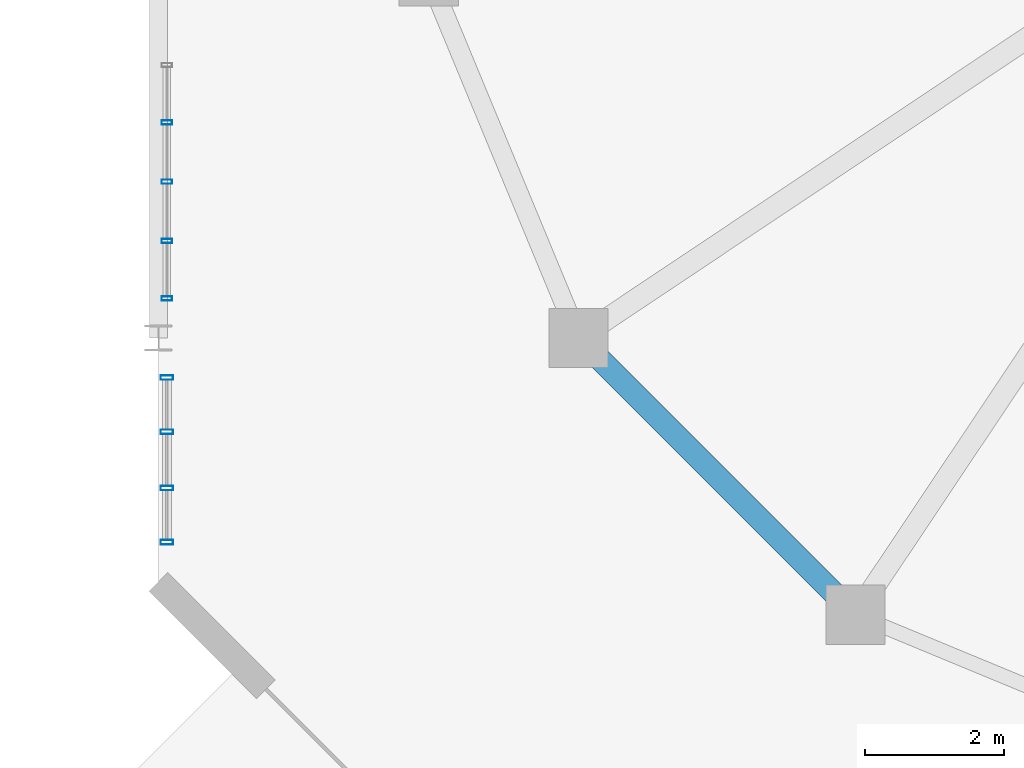
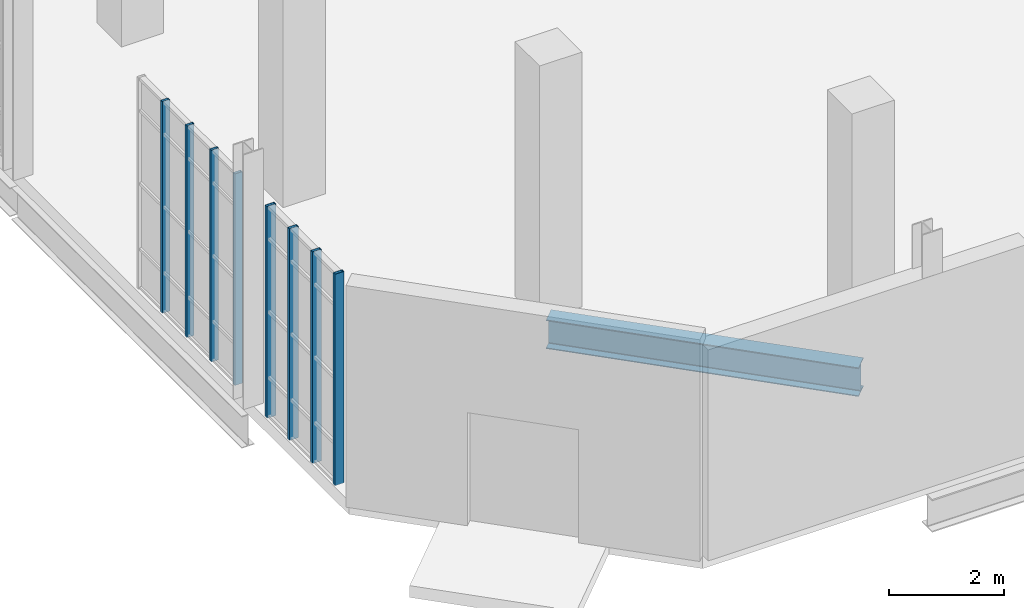
# One storey, part 32 of 189: 8 members, 1 beam, 2 elements without a shape of their own.
"""IFC4 building model written with IfcOpenShell, lengths in metres."""

from ifc_helpers import new_model, si_unit, direction, frame, origin, origin_2d, place, context, subcontext, project, spatial, hollow_rectangle, i_section, extrude, material, layer, layer_set, material_profile, profile_set, type_object, element, aggregate, save


model = new_model("IFC4")

# Units and contexts
model_context = context("Model", 3, precision=1e-05, world=origin(), true_north=direction((0.0, 1.0)))
body_context = subcontext(model_context, "Body", "Model", "MODEL_VIEW")
ifc_project = project(units=[si_unit("LENGTHUNIT", "METRE"), si_unit("AREAUNIT", "SQUARE_METRE"), si_unit("VOLUMEUNIT", "CUBIC_METRE"), si_unit("PLANEANGLEUNIT", "RADIAN"), si_unit("MASSUNIT", "GRAM", prefix="KILO"), si_unit("THERMODYNAMICTEMPERATUREUNIT", "KELVIN"), si_unit("POWERUNIT", "WATT")], contexts=[model_context])

# Site, building, storey
site_placement = place(None, origin())
site = spatial("IfcSite", under=ifc_project, at=site_placement, CompositionType="ELEMENT")
building_placement = place(site_placement, origin())
building = spatial("IfcBuilding", under=site, at=building_placement, Name="Zelmaris Science Centre", CompositionType="ELEMENT")
storey_placement = place(building_placement, origin())
storey = spatial("IfcBuildingStorey", under=building, at=storey_placement, Name="L00", CompositionType="ELEMENT", Elevation=0.0)

# Curtain wall, members
ifc_material_1 = material(Name="Anodised architectural aluminium 6063-T6", Category="aluminium")
ifc_layer_1 = layer(ifc_material_1, 0.219970703125, Name="Anodised architectural aluminium 6063-T6")
ifc_layer_set_1 = layer_set([ifc_layer_1], Name="Anodised architectural aluminium 6063-T6")
curtain_wall_type_1 = type_object("IfcCurtainWallType", Name="Curtain Wall CW-04", PredefinedType="USERDEFINED", material=ifc_layer_set_1)
curtain_wall_1_placement = place(storey_placement, origin())
curtain_wall_1 = element("IfcCurtainWall", 1, at=curtain_wall_1_placement, inside=storey, type_object=curtain_wall_type_1, Name="L00 Unitised curtain wall 12", ObjectType="GLAZED CURTAIN WALL", PredefinedType="USERDEFINED")
ifc_material_profile_1 = material_profile(ifc_material_1, hollow_rectangle(XDim=0.06005859375, YDim=0.14990234375, WallThickness=0.00341796875, at=origin_2d()), Name="ALU-MUL-60X150")
ifc_profile_set_1 = profile_set([ifc_material_profile_1], Name="Anodised architectural aluminium 6063-T6")
member_type_1 = type_object("IfcMemberType", Name="ALU-MUL-60X150", PredefinedType="MULLION", material=ifc_profile_set_1)
member_1_placement = place(storey_placement, frame((9.1201171875, 64.56591796875, -0.014892578125), z_axis=(0.0, 0.0, 1.0), x_axis=(0.0, 1.0, 0.0)))
member_1 = element("IfcMember", 2, at=member_1_placement, type_object=member_type_1, Name="CW-04 mullion 1", PredefinedType="MULLION", context=body_context, shape_type="SweptSolid", body=[
    extrude(hollow_rectangle(XDim=0.06005859375, YDim=0.14990234375, WallThickness=0.00341796875, at=origin_2d()), origin(), (0.0, 0.0, 1.0), 4.48779296875),
])
member_2_placement = place(storey_placement, frame((9.1201171875, 65.389892578125, -0.014892578125), z_axis=(0.0, 0.0, 1.0), x_axis=(0.0, 1.0, 0.0)))
member_2 = element("IfcMember", 3, at=member_2_placement, type_object=member_type_1, Name="CW-04 mullion 2", PredefinedType="MULLION", context=body_context, shape_type="SweptSolid", body=[
    extrude(hollow_rectangle(XDim=0.06005859375, YDim=0.14990234375, WallThickness=0.00341796875, at=origin_2d()), origin(), (0.0, 0.0, 1.0), 4.48779296875),
])
member_3_placement = place(storey_placement, frame((9.1201171875, 66.239990234375, -0.014892578125), z_axis=(0.0, 0.0, 1.0), x_axis=(0.0, 1.0, 0.0)))
member_3 = element("IfcMember", 4, at=member_3_placement, type_object=member_type_1, Name="CW-04 mullion 3", PredefinedType="MULLION", context=body_context, shape_type="SweptSolid", body=[
    extrude(hollow_rectangle(XDim=0.06005859375, YDim=0.14990234375, WallThickness=0.00341796875, at=origin_2d()), origin(), (0.0, 0.0, 1.0), 4.48779296875),
])
member_4_placement = place(storey_placement, frame((9.1201171875, 67.090087890625, -0.014892578125), z_axis=(0.0, 0.0, 1.0), x_axis=(0.0, 1.0, 0.0)))
member_4 = element("IfcMember", 5, at=member_4_placement, type_object=member_type_1, Name="CW-04 mullion 4", PredefinedType="MULLION", context=body_context, shape_type="SweptSolid", body=[
    extrude(hollow_rectangle(XDim=0.06005859375, YDim=0.14990234375, WallThickness=0.00341796875, at=origin_2d()), origin(), (0.0, 0.0, 1.0), 4.48779296875),
])
aggregate(curtain_wall_1, [member_1, member_2, member_3, member_4])

ifc_layer_2 = layer(ifc_material_1, 0.2099609375, Name="Anodised architectural aluminium 6063-T6")
ifc_layer_set_2 = layer_set([ifc_layer_2], Name="Anodised architectural aluminium 6063-T6")
curtain_wall_type_2 = type_object("IfcCurtainWallType", Name="Curtain Wall CW-03", PredefinedType="USERDEFINED", material=ifc_layer_set_2)
curtain_wall_2_placement = place(storey_placement, origin())
curtain_wall_2 = element("IfcCurtainWall", 6, at=curtain_wall_2_placement, inside=storey, type_object=curtain_wall_type_2, Name="L00 Unitised curtain wall 11", ObjectType="GLAZED CURTAIN WALL", PredefinedType="USERDEFINED")
ifc_material_profile_2 = material_profile(ifc_material_1, hollow_rectangle(XDim=0.06494140625, YDim=0.179931640625, WallThickness=0.00390625, at=origin_2d()), Name="ALU-MUL-65X180")
ifc_profile_set_2 = profile_set([ifc_material_profile_2], Name="Anodised architectural aluminium 6063-T6")
member_type_2 = type_object("IfcMemberType", Name="ALU-MUL-65X180", PredefinedType="MULLION", material=ifc_profile_set_2)
member_5_placement = place(storey_placement, frame((9.1201171875, 61.068603515625, -0.014892578125), z_axis=(0.0, 0.0, 1.0), x_axis=(0.0, 1.0, 0.0)))
member_5 = element("IfcMember", 7, at=member_5_placement, type_object=member_type_2, Name="CW-03 mullion 1", PredefinedType="MULLION", context=body_context, shape_type="SweptSolid", body=[
    extrude(hollow_rectangle(XDim=0.06494140625, YDim=0.179931640625, WallThickness=0.00390625, at=origin_2d()), origin(), (0.0, 0.0, 1.0), 4.48779296875),
])
member_6_placement = place(storey_placement, frame((9.1201171875, 61.8466796875, -0.014892578125), z_axis=(0.0, 0.0, 1.0), x_axis=(0.0, 1.0, 0.0)))
member_6 = element("IfcMember", 8, at=member_6_placement, type_object=member_type_2, Name="CW-03 mullion 2", PredefinedType="MULLION", context=body_context, shape_type="SweptSolid", body=[
    extrude(hollow_rectangle(XDim=0.06494140625, YDim=0.179931640625, WallThickness=0.00390625, at=origin_2d()), origin(), (0.0, 0.0, 1.0), 4.48779296875),
])
member_7_placement = place(storey_placement, frame((9.1201171875, 62.6533203125, -0.014892578125), z_axis=(0.0, 0.0, 1.0), x_axis=(0.0, 1.0, 0.0)))
member_7 = element("IfcMember", 9, at=member_7_placement, type_object=member_type_2, Name="CW-03 mullion 3", PredefinedType="MULLION", context=body_context, shape_type="SweptSolid", body=[
    extrude(hollow_rectangle(XDim=0.06494140625, YDim=0.179931640625, WallThickness=0.00390625, at=origin_2d()), origin(), (0.0, 0.0, 1.0), 4.48779296875),
])
member_8_placement = place(storey_placement, frame((9.1201171875, 63.431396484375, -0.014892578125), z_axis=(0.0, 0.0, 1.0), x_axis=(0.0, 1.0, 0.0)))
member_8 = element("IfcMember", 10, at=member_8_placement, type_object=member_type_2, Name="CW-03 mullion 4", PredefinedType="MULLION", context=body_context, shape_type="SweptSolid", body=[
    extrude(hollow_rectangle(XDim=0.06494140625, YDim=0.179931640625, WallThickness=0.00390625, at=origin_2d()), origin(), (0.0, 0.0, 1.0), 4.48779296875),
])
aggregate(curtain_wall_2, [member_5, member_6, member_7, member_8])

# Beam
ifc_material_2 = material(Name="Steel ASTM A992 Grade 50", Category="steel")
ifc_material_profile_3 = material_profile(ifc_material_2, i_section(OverallWidth=0.324951171875, OverallDepth=0.612060546875, WebThickness=0.0126953125, FlangeThickness=0.01904296875, FilletRadius=0.014892578125, at=origin_2d()), Name="W24X104")
ifc_profile_set_3 = profile_set([ifc_material_profile_3], Name="Steel ASTM A992 Grade 50")
beam_type = type_object("IfcBeamType", Name="Beam SP-01 W24X104", PredefinedType="SPANDREL", material=ifc_profile_set_3)
beam_placement = place(storey_placement, frame((15.02685546875, 63.999755859375, -0.5859375), z_axis=(0.707106781187, -0.707106781187, 0.0), x_axis=(0.707106781187, 0.707106781187, 0.0)))
element("IfcBeam", 11, at=beam_placement, inside=storey, type_object=beam_type, Name="L00 Planetarium drum ring beam 10", PredefinedType="SPANDREL", context=body_context, shape_type="SweptSolid", body=[
    extrude(i_section(OverallWidth=0.324951171875, OverallDepth=0.612060546875, WebThickness=0.0126953125, FlangeThickness=0.01904296875, FilletRadius=0.014892578125, at=origin_2d()), origin(), (0.0, 0.0, 1.0), 5.618408203125),
])

save(model, "model.ifc")
